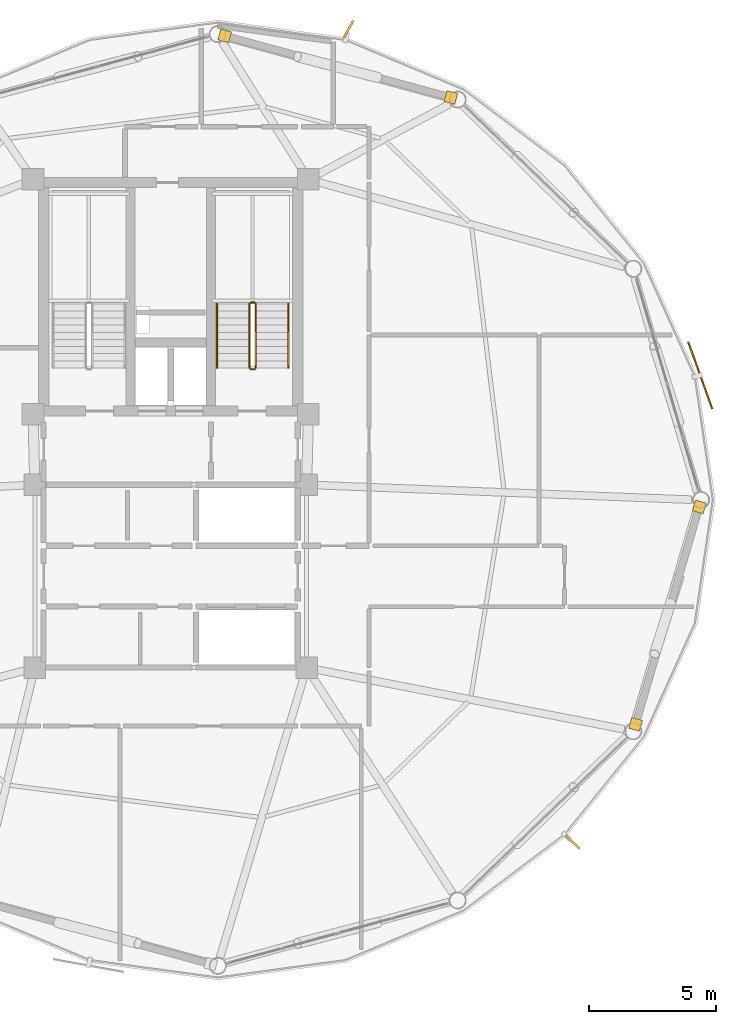
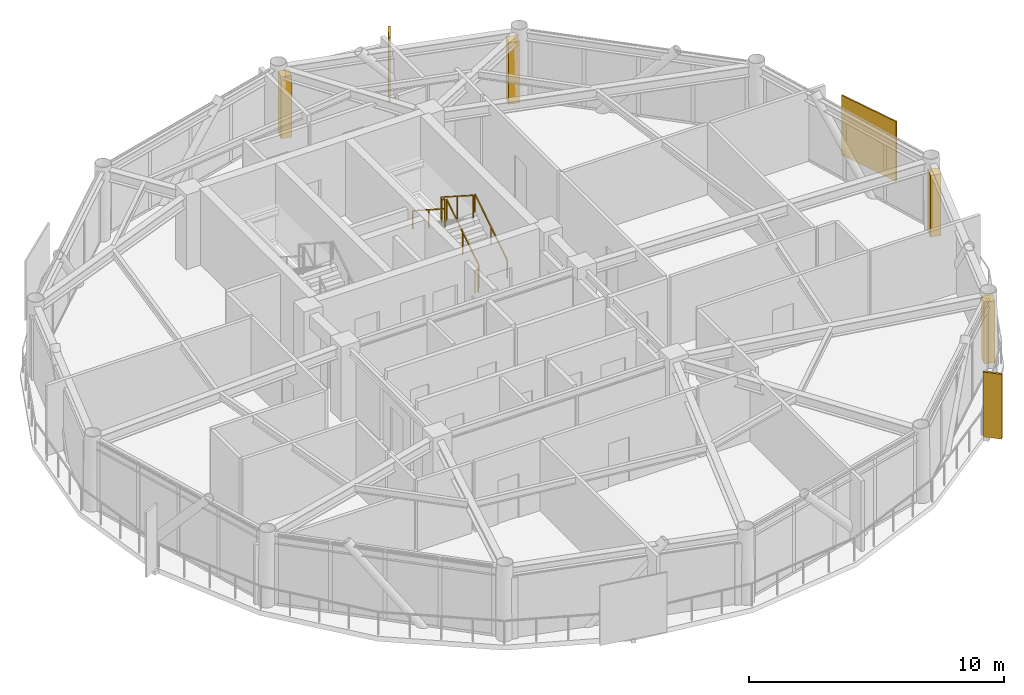
# One storey, part 26 of 26: 6 railings, 4 coverings, 3 shading devices.
"""IFC4 building model written with IfcOpenShell, lengths in metres."""

from ifc_helpers import new_model, si_unit, direction, frame, origin, origin_2d, place, context, subcontext, project, spatial, rectangle, extrude, source, transform, mapped, material, layer, layer_set, type_object, type_shapes, element, save


model = new_model("IFC4")

# Units and contexts
model_context = context("Model", 3, precision=1e-05, world=origin(), true_north=direction((0.0, 1.0)))
body_context = subcontext(model_context, "Body", "Model", "MODEL_VIEW")
ifc_project = project(units=[si_unit("LENGTHUNIT", "METRE"), si_unit("AREAUNIT", "SQUARE_METRE"), si_unit("VOLUMEUNIT", "CUBIC_METRE"), si_unit("PLANEANGLEUNIT", "RADIAN"), si_unit("MASSUNIT", "GRAM", prefix="KILO")], contexts=[model_context])

# Site, building, storey
site_placement = place(None, origin())
site = spatial("IfcSite", under=ifc_project, at=site_placement, CompositionType="ELEMENT")
building_placement = place(site_placement, origin())
building = spatial("IfcBuilding", under=site, at=building_placement, Name="Varnakorn Sky Granary", CompositionType="ELEMENT")
storey_placement = place(building_placement, frame((0.0, 0.0, 218.39990234375)))
storey = spatial("IfcBuildingStorey", under=building, at=storey_placement, Name="L55", CompositionType="ELEMENT", Elevation=218.39990234375)

# Railings
ifc_material_1 = material(Name="Brushed Stainless Steel 316", Category="steel")
railing_type_1 = type_object("IfcRailingType", Name="RL-STAIR-1100", PredefinedType="GUARDRAIL", material=ifc_material_1)
railing_1_placement = place(storey_placement, frame((6.35009765625, 5.199951171875, 0.18017578125)))
element("IfcRailing", 1, at=railing_1_placement, inside=storey, type_object=railing_type_1, Name="L55 ST-2 stair guard 1", PredefinedType="GUARDRAIL", context=body_context, shape_type="SweptSolid", body=[
    extrude(rectangle(XDim=0.048095703125, YDim=0.048095703125, at=origin_2d()), frame((0.0, 0.0, 1.076171875), z_axis=(0.0, 0.841199657755, 0.540724639528), x_axis=(-1.0, 0.0, 0.0)), (0.0, 0.0, 1.0), 2.995849609375),
    extrude(rectangle(XDim=0.0419921875, YDim=0.0419921875, at=origin_2d()), origin(), (0.0, 0.0, 1.0), 1.048095703125),
    extrude(rectangle(XDim=0.0419921875, YDim=0.0419921875, at=origin_2d()), frame((0.0, 1.260009765625, 0.81005859375)), (0.0, 0.0, 1.0), 1.048095703125),
    extrude(rectangle(XDim=0.0419921875, YDim=0.0419921875, at=origin_2d()), frame((0.0, 2.52001953125, 1.619873046875)), (0.0, 0.0, 1.0), 1.048095703125),
])
railing_2_placement = place(storey_placement, frame((6.300048828125, 7.77001953125, 1.800048828125)))
element("IfcRailing", 2, at=railing_2_placement, inside=storey, type_object=railing_type_1, Name="L55 ST-2 stair guard 2", PredefinedType="GUARDRAIL", context=body_context, shape_type="SweptSolid", body=[
    extrude(rectangle(XDim=0.048095703125, YDim=0.048095703125, at=origin_2d()), frame((0.0, 0.0, 1.076171875), z_axis=(-1.0, 0.0, 0.0), x_axis=(0.0, -1.0, 0.0)), (0.0, 0.0, 1.0), 0.150146484375),
    extrude(rectangle(XDim=0.0419921875, YDim=0.0419921875, at=origin_2d()), origin(), (0.0, 0.0, 1.0), 1.048095703125),
    extrude(rectangle(XDim=0.0419921875, YDim=0.0419921875, at=origin_2d()), frame((-0.150146484375, 0.0, 0.0)), (0.0, 0.0, 1.0), 1.048095703125),
])
railing_3_placement = place(storey_placement, frame((6.10009765625, 7.719970703125, 1.97998046875)))
element("IfcRailing", 3, at=railing_3_placement, inside=storey, type_object=railing_type_1, Name="L55 ST-2 stair guard 3", PredefinedType="GUARDRAIL", context=body_context, shape_type="SweptSolid", body=[
    extrude(rectangle(XDim=0.048095703125, YDim=0.048095703125, at=origin_2d()), frame((0.0, 0.0, 1.076171875), z_axis=(0.0, -0.841162588446, 0.540782303519), x_axis=(1.0, 0.0, 0.0)), (0.0, 0.0, 1.0), 2.995849609375),
    extrude(rectangle(XDim=0.0419921875, YDim=0.0419921875, at=origin_2d()), origin(), (0.0, 0.0, 1.0), 1.048095703125),
    extrude(rectangle(XDim=0.0419921875, YDim=0.0419921875, at=origin_2d()), frame((0.0, -1.260009765625, 0.81005859375)), (0.0, 0.0, 1.0), 1.048095703125),
    extrude(rectangle(XDim=0.0419921875, YDim=0.0419921875, at=origin_2d()), frame((0.0, -2.52001953125, 1.6201171875)), (0.0, 0.0, 1.0), 1.048095703125),
])
railing_4_placement = place(storey_placement, frame((6.300048828125, 5.14990234375, 0.0)))
element("IfcRailing", 4, at=railing_4_placement, inside=storey, type_object=railing_type_1, Name="L55 ST-2 stair guard 4", PredefinedType="GUARDRAIL", context=body_context, shape_type="SweptSolid", body=[
    extrude(rectangle(XDim=0.048095703125, YDim=0.048095703125, at=origin_2d()), frame((0.0, 0.0, 1.076171875), z_axis=(-1.0, 0.0, 0.0), x_axis=(0.0, -1.0, 0.0)), (0.0, 0.0, 1.0), 0.150146484375),
    extrude(rectangle(XDim=0.0419921875, YDim=0.0419921875, at=origin_2d()), origin(), (0.0, 0.0, 1.0), 1.048095703125),
    extrude(rectangle(XDim=0.0419921875, YDim=0.0419921875, at=origin_2d()), frame((-0.150146484375, 0.0, 0.0)), (0.0, 0.0, 1.0), 1.048095703125),
])
railing_type_2 = type_object("IfcRailingType", Name="RL-STAIR-920", PredefinedType="HANDRAIL", material=ifc_material_1)
railing_5_placement = place(storey_placement, frame((7.6298828125, 5.199951171875, 0.18017578125)))
element("IfcRailing", 5, at=railing_5_placement, inside=storey, type_object=railing_type_2, Name="L55 ST-2 stair handrail 1", PredefinedType="HANDRAIL", context=body_context, shape_type="SweptSolid", body=[
    extrude(rectangle(XDim=0.048095703125, YDim=0.048095703125, at=origin_2d()), frame((0.0, 0.0, 0.8759765625), z_axis=(0.0, 0.841199657755, 0.540724639528), x_axis=(-1.0, 0.0, 0.0)), (0.0, 0.0, 1.0), 2.995849609375),
    extrude(rectangle(XDim=0.0419921875, YDim=0.0419921875, at=origin_2d()), origin(), (0.0, 0.0, 1.0), 0.847900390625),
    extrude(rectangle(XDim=0.0419921875, YDim=0.0419921875, at=origin_2d()), frame((0.0, 1.260009765625, 0.81005859375)), (0.0, 0.0, 1.0), 0.847900390625),
    extrude(rectangle(XDim=0.0419921875, YDim=0.0419921875, at=origin_2d()), frame((0.0, 2.52001953125, 1.619873046875)), (0.0, 0.0, 1.0), 0.847900390625),
])
railing_6_placement = place(storey_placement, frame((4.820068359375, 7.719970703125, 1.97998046875)))
element("IfcRailing", 6, at=railing_6_placement, inside=storey, type_object=railing_type_2, Name="L55 ST-2 stair handrail 2", PredefinedType="HANDRAIL", context=body_context, shape_type="SweptSolid", body=[
    extrude(rectangle(XDim=0.048095703125, YDim=0.048095703125, at=origin_2d()), frame((0.0, 0.0, 0.8759765625), z_axis=(0.0, -0.841162588446, 0.540782303519), x_axis=(1.0, 0.0, 0.0)), (0.0, 0.0, 1.0), 2.995849609375),
    extrude(rectangle(XDim=0.0419921875, YDim=0.0419921875, at=origin_2d()), origin(), (0.0, 0.0, 1.0), 0.847900390625),
    extrude(rectangle(XDim=0.0419921875, YDim=0.0419921875, at=origin_2d()), frame((0.0, -1.260009765625, 0.81005859375)), (0.0, 0.0, 1.0), 0.847900390625),
    extrude(rectangle(XDim=0.0419921875, YDim=0.0419921875, at=origin_2d()), frame((0.0, -2.52001953125, 1.6201171875)), (0.0, 0.0, 1.0), 0.847900390625),
])

# Coverings
ifc_material_2 = material(Name="Anodised Bronze Aluminium Alloy 6063-T6", Category="aluminium")
ifc_layer = layer(ifc_material_2, 0.050048828125, Name="Anodised Bronze Aluminium Alloy 6063-T6")
ifc_layer_set = layer_set([ifc_layer], Name="Anodised Bronze Aluminium Alloy 6063-T6")
covering_type = type_object("IfcCoveringType", Name="CV-CLAD-50", PredefinedType="CLADDING", material=ifc_layer_set)
shared_shape_1 = source(origin(), body_context, "Body", "SweptSolid", [
    extrude(rectangle(XDim=0.43994140625, YDim=0.43994140625, at=origin_2d()), origin(), (0.0, 0.0, 1.0), 2.949951171875),
])
type_shapes(covering_type, [shared_shape_1])
for number, where, z_axis, x_axis, name in (
    (7, (5.125, 18.26904296875, -0.02001953125), (0.0, 0.0, 1.0), (0.964833216741, -0.262862823299, 0.0), "Bronze Corner Pilaster Closure L55-P03-A"),
    (8, (14.02587890625, 15.844482421875, -0.02001953125), (0.0, 0.0, 1.0), (0.964833216741, -0.262862823299, 0.0), "Bronze Corner Pilaster Closure L55-P03-B"),
    (9, (23.806884765625, -0.2734375, -0.02001953125), (0.0, 0.0, 1.0), (-0.2811692233, -0.959658203669, 0.0), "Bronze Corner Pilaster Closure L55-P12-A"),
    (10, (21.2998046875, -8.8310546875, -0.02001953125), (0.0, 0.0, 1.0), (-0.2811692233, -0.959658203669, 0.0), "Bronze Corner Pilaster Closure L55-P12-B"),
):
    element("IfcCovering", number, at=place(storey_placement, frame(where, z_axis=z_axis, x_axis=x_axis)), inside=storey, type_object=covering_type, Name=name, PredefinedType="CLADDING", context=body_context, shape_type="MappedRepresentation", body=[
        mapped(shared_shape_1, transform((0.0, 0.0, 0.0), x_axis=(1.0, 0.0, 0.0), y_axis=(0.0, 1.0, 0.0), z_axis=(0.0, 0.0, 1.0), scale=1.0)),
    ])

# Shading devices
shading_device_type_1 = type_object("IfcShadingDeviceType", Name="SH-FIN-03", PredefinedType="USERDEFINED", material=ifc_material_2)
shared_shape_2 = source(origin(), body_context, "Body", "SweptSolid", [
    extrude(rectangle(XDim=0.0849609375, YDim=0.760009765625, at=origin_2d()), origin(), (0.0, 0.0, 1.0), 3.10009765625),
])
type_shapes(shading_device_type_1, [shared_shape_2])
for number, where, z_axis, x_axis, name in (
    (11, (10.0, 18.533935546875, -0.0400390625), (0.0, 0.0, 1.0), (-0.872622620213, 0.488395088727, 0.0), "Bronze Solar-Tracking Vertical Blade FIN L55-03"),
    (12, (18.819091796875, -13.46728515625, -0.0400390625), (0.0, 0.0, 1.0), (0.686662238454, 0.726976595415, 0.0), "Bronze Solar-Tracking Vertical Blade FIN L55-11"),
):
    element("IfcShadingDevice", number, at=place(storey_placement, frame(where, z_axis=z_axis, x_axis=x_axis)), inside=storey, type_object=shading_device_type_1, Name=name, ObjectType="FIN", PredefinedType="USERDEFINED", context=body_context, shape_type="MappedRepresentation", body=[
        mapped(shared_shape_2, transform((0.0, 0.0, 0.0), x_axis=(1.0, 0.0, 0.0), y_axis=(0.0, 1.0, 0.0), z_axis=(0.0, 0.0, 1.0), scale=1.0)),
    ])
shading_device_type_2 = type_object("IfcShadingDeviceType", Name="SH-SCR-03", PredefinedType="USERDEFINED", material=ifc_material_2)
shared_shape_3 = source(origin(), body_context, "Body", "SweptSolid", [
    extrude(rectangle(XDim=2.800048828125, YDim=0.06494140625, at=origin_2d()), origin(), (0.0, 0.0, 1.0), 2.85009765625),
])
type_shapes(shading_device_type_2, [shared_shape_3])
shading_device_placement = place(storey_placement, frame((23.842529296875, 4.907470703125, -0.0400390625), z_axis=(0.0, 0.0, 1.0), x_axis=(-0.337713669115, 0.941248892532, 0.0)))
element("IfcShadingDevice", 13, at=shading_device_placement, inside=storey, type_object=shading_device_type_2, Name="Perforated Bronze Solar Screen Panel SCREEN L55-01", ObjectType="SCREEN", PredefinedType="USERDEFINED", context=body_context, shape_type="MappedRepresentation", body=[
    mapped(shared_shape_3, transform((0.0, 0.0, 0.0), x_axis=(1.0, 0.0, 0.0), y_axis=(0.0, 1.0, 0.0), z_axis=(0.0, 0.0, 1.0), scale=1.0)),
])

save(model, "model.ifc")
